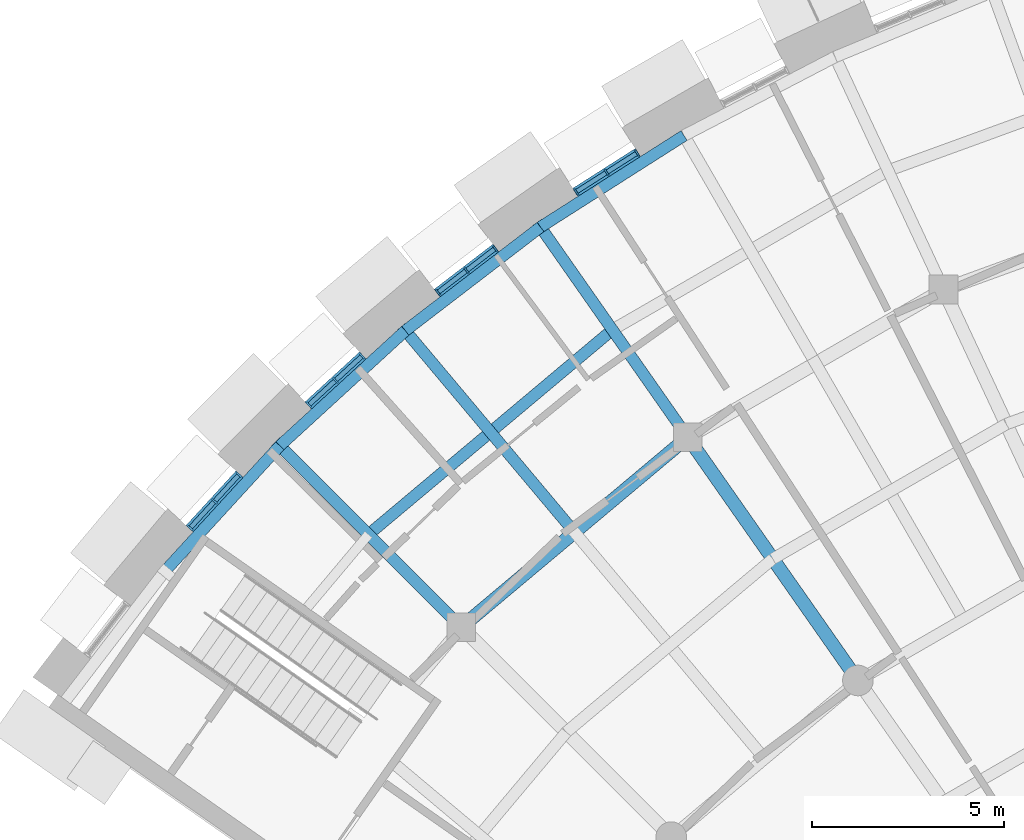
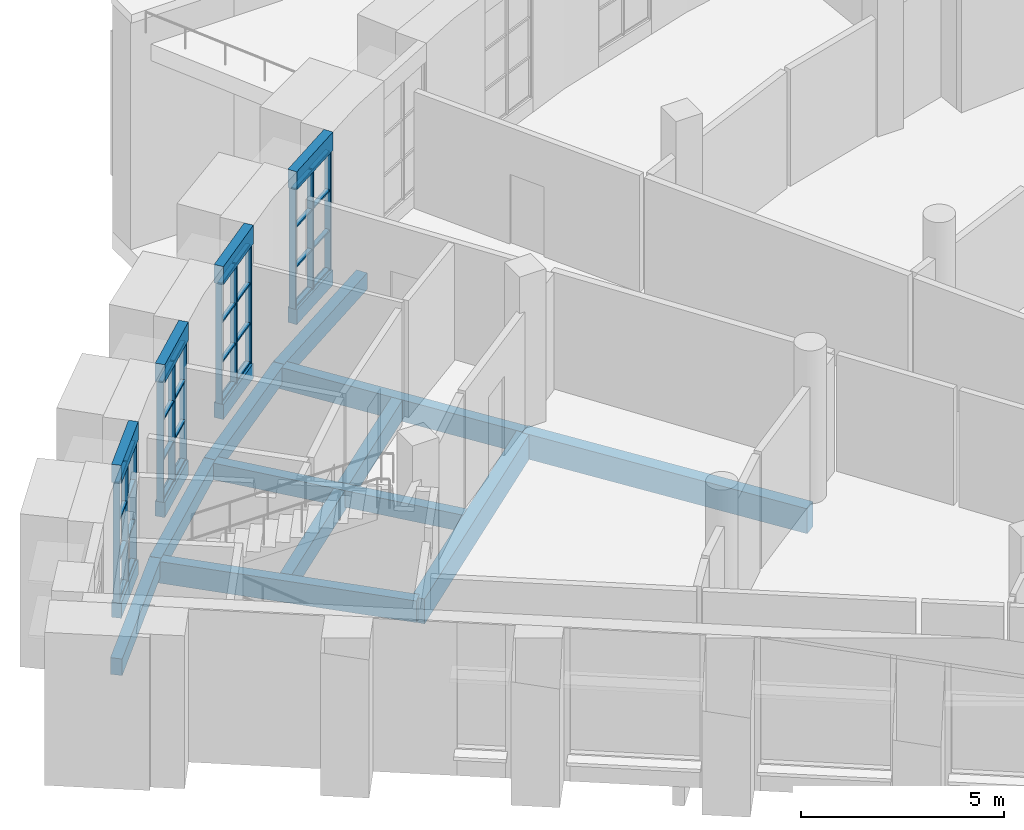
# One storey, part 24 of 85: 44 members, 18 beams, 4 elements without a shape of their own.
"""IFC4 building model written with IfcOpenShell, lengths in metres."""

from ifc_helpers import new_model, si_unit, direction, frame, origin, origin_2d, place, context, subcontext, project, spatial, rectangle, extrude, material, layer, layer_set, material_profile, profile_set, type_object, element, aggregate, save


model = new_model("IFC4")

# Units and contexts
model_context = context("Model", 3, precision=1e-05, world=origin(), true_north=direction((0.0, 1.0)))
body_context = subcontext(model_context, "Body", "Model", "MODEL_VIEW")
ifc_project = project(units=[si_unit("LENGTHUNIT", "METRE"), si_unit("AREAUNIT", "SQUARE_METRE"), si_unit("VOLUMEUNIT", "CUBIC_METRE"), si_unit("PLANEANGLEUNIT", "RADIAN"), si_unit("MASSUNIT", "GRAM", prefix="KILO")], contexts=[model_context])

# Site, building, storey
site_placement = place(None, origin())
site = spatial("IfcSite", under=ifc_project, at=site_placement, CompositionType="ELEMENT")
building_placement = place(site_placement, origin())
building = spatial("IfcBuilding", under=site, at=building_placement, Name="Volute Hill Aquarium", CompositionType="ELEMENT")
storey_placement = place(building_placement, origin())
storey = spatial("IfcBuildingStorey", under=building, at=storey_placement, Name="L01", CompositionType="ELEMENT", Elevation=0.0)

# Beams
ifc_material_1 = material(Name="Concrete C35/45", Category="concrete")
ifc_material_profile_1 = material_profile(ifc_material_1, rectangle(XDim=0.300048828125, YDim=0.64990234375, at=origin_2d()), Name="RC beam 300x650")
ifc_profile_set_1 = profile_set([ifc_material_profile_1], Name="Concrete C35/45")
beam_type_1 = type_object("IfcBeamType", Name="Beam 300x650 C35/45", PredefinedType="BEAM", material=ifc_profile_set_1)
beam_1_placement = place(storey_placement, frame((-25.380859375, 36.24755859375, -0.64501953125), z_axis=(-0.573579548978, 0.819149864796, 0.0), x_axis=(-0.819149864796, -0.573579548978, 0.0)))
element("IfcBeam", 1, at=beam_1_placement, inside=storey, type_object=beam_type_1, Name="bm/S6/L01/rad3.12", PredefinedType="BEAM", context=body_context, shape_type="SweptSolid", body=[
    extrude(rectangle(XDim=0.300048828125, YDim=0.64990234375, at=origin_2d()), origin(), (0.0, 0.0, 1.0), 6.849853515625),
])
beam_2_placement = place(storey_placement, frame((-31.28955078125, 31.28955078125, -0.64501953125), z_axis=(-0.707106781187, 0.707106781187, 0.0), x_axis=(-0.707106781187, -0.707106781187, 0.0)))
element("IfcBeam", 2, at=beam_2_placement, inside=storey, type_object=beam_type_1, Name="bm/S6/L01/rad4.16", PredefinedType="BEAM", context=body_context, shape_type="SweptSolid", body=[
    extrude(rectangle(XDim=0.300048828125, YDim=0.64990234375, at=origin_2d()), origin(), (0.0, 0.0, 1.0), 6.85009765625),
])
ifc_material_2 = material(Name="Concrete C35/45", Category="concrete")
ifc_material_profile_2 = material_profile(ifc_material_2, rectangle(XDim=0.35009765625, YDim=0.75, at=origin_2d()), Name="RC beam 350x750")
ifc_profile_set_2 = profile_set([ifc_material_profile_2], Name="Concrete C35/45")
beam_type_2 = type_object("IfcBeamType", Name="Beam 350x750 C35/45", PredefinedType="BEAM", material=ifc_profile_set_2)
beam_3_placement = place(storey_placement, frame((-20.935546875, 29.89892578125, -0.695068359375), z_axis=(-0.573572275972, 0.819154957402, 0.0), x_axis=(-0.819154957402, -0.573572275972, 0.0)))
element("IfcBeam", 3, at=beam_3_placement, inside=storey, type_object=beam_type_2, Name="bm/S6/L01/rad3.11", PredefinedType="BEAM", context=body_context, shape_type="SweptSolid", body=[
    extrude(rectangle(XDim=0.35009765625, YDim=0.75, at=origin_2d()), origin(), (0.0, 0.0, 1.0), 7.750244140625),
])
beam_4_placement = place(storey_placement, frame((-25.380859375, 36.24755859375, -0.695068359375), z_axis=(-0.766042717383, -0.642789666334, 0.0), x_axis=(0.642789666334, -0.766042717383, 0.0)))
element("IfcBeam", 4, at=beam_4_placement, inside=storey, type_object=beam_type_2, Name="bm/S6/L01/ring3.30", PredefinedType="BEAM", context=body_context, shape_type="SweptSolid", body=[
    extrude(rectangle(XDim=0.35009765625, YDim=0.75, at=origin_2d()), origin(), (0.0, 0.0, 1.0), 7.71337890625),
])

# Curtain wall, members
ifc_material_3 = material(Name="Aluminium", Category="aluminium")
ifc_layer = layer(ifc_material_3, 0.25)
ifc_layer_set = layer_set([ifc_layer], Name="Curtain wall niche S6 module 967")
curtain_wall_type = type_object("IfcCurtainWallType", Name="Curtain wall niche S6 module 967", PredefinedType="NOTDEFINED", material=ifc_layer_set)
curtain_wall_1_placement = place(storey_placement, origin())
curtain_wall_1 = element("IfcCurtainWall", 5, at=curtain_wall_1_placement, inside=storey, type_object=curtain_wall_type, Name="Curtain wall CW S6 L01 6", PredefinedType="NOTDEFINED")
ifc_material_4 = material(Name="Aluminium", Category="aluminium")
ifc_material_profile_3 = material_profile(ifc_material_4, rectangle(XDim=0.169921875, YDim=0.050048828125, at=origin_2d()), Name="Curtain wall mullion S6 50x170")
ifc_profile_set_3 = profile_set([ifc_material_profile_3], Name="Aluminium")
member_type_1 = type_object("IfcMemberType", Name="Curtain wall mullion S6 50x170", PredefinedType="MULLION", material=ifc_profile_set_3)
member_1_placement = place(storey_placement, frame((-26.702392578125, 43.66748046875, 0.449951171875), z_axis=(0.0, 0.0, 1.0), x_axis=(0.537294689973, -0.843394579142, 0.0)))
member_1 = element("IfcMember", 6, at=member_1_placement, type_object=member_type_1, Name="CW mullion 1", PredefinedType="MULLION", context=body_context, shape_type="SweptSolid", body=[
    extrude(rectangle(XDim=0.169921875, YDim=0.050048828125, at=origin_2d()), origin(), (0.0, 0.0, 1.0), 3.60009765625),
])
member_2_placement = place(storey_placement, frame((-27.496826171875, 43.161376953125, 0.449951171875), z_axis=(0.0, 0.0, 1.0), x_axis=(0.537294689973, -0.843394579142, 0.0)))
member_2 = element("IfcMember", 7, at=member_2_placement, type_object=member_type_1, Name="CW mullion 2", PredefinedType="MULLION", context=body_context, shape_type="SweptSolid", body=[
    extrude(rectangle(XDim=0.169921875, YDim=0.050048828125, at=origin_2d()), origin(), (0.0, 0.0, 1.0), 3.60009765625),
])
member_3_placement = place(storey_placement, frame((-28.291259765625, 42.6552734375, 0.449951171875), z_axis=(0.0, 0.0, 1.0), x_axis=(0.537294689973, -0.843394579142, 0.0)))
member_3 = element("IfcMember", 8, at=member_3_placement, type_object=member_type_1, Name="CW mullion 3", PredefinedType="MULLION", context=body_context, shape_type="SweptSolid", body=[
    extrude(rectangle(XDim=0.169921875, YDim=0.050048828125, at=origin_2d()), origin(), (0.0, 0.0, 1.0), 3.60009765625),
])

curtain_wall_2_placement = place(storey_placement, origin())
curtain_wall_2 = element("IfcCurtainWall", 9, at=curtain_wall_2_placement, inside=storey, type_object=curtain_wall_type, Name="Curtain wall CW S6 L01 7", PredefinedType="NOTDEFINED")
member_4_placement = place(storey_placement, frame((-30.40673828125, 41.174072265625, 0.449951171875), z_axis=(0.0, 0.0, 1.0), x_axis=(0.608768681127, -0.793347775493, 0.0)))
member_4 = element("IfcMember", 10, at=member_4_placement, type_object=member_type_1, Name="CW mullion 1", PredefinedType="MULLION", context=body_context, shape_type="SweptSolid", body=[
    extrude(rectangle(XDim=0.169921875, YDim=0.050048828125, at=origin_2d()), origin(), (0.0, 0.0, 1.0), 3.60009765625),
])
member_5_placement = place(storey_placement, frame((-31.154052734375, 40.6005859375, 0.449951171875), z_axis=(0.0, 0.0, 1.0), x_axis=(0.608768681127, -0.793347775493, 0.0)))
member_5 = element("IfcMember", 11, at=member_5_placement, type_object=member_type_1, Name="CW mullion 2", PredefinedType="MULLION", context=body_context, shape_type="SweptSolid", body=[
    extrude(rectangle(XDim=0.169921875, YDim=0.050048828125, at=origin_2d()), origin(), (0.0, 0.0, 1.0), 3.60009765625),
])
member_6_placement = place(storey_placement, frame((-31.9013671875, 40.027099609375, 0.449951171875), z_axis=(0.0, 0.0, 1.0), x_axis=(0.608768681127, -0.793347775493, 0.0)))
member_6 = element("IfcMember", 12, at=member_6_placement, type_object=member_type_1, Name="CW mullion 3", PredefinedType="MULLION", context=body_context, shape_type="SweptSolid", body=[
    extrude(rectangle(XDim=0.169921875, YDim=0.050048828125, at=origin_2d()), origin(), (0.0, 0.0, 1.0), 3.60009765625),
])

curtain_wall_3_placement = place(storey_placement, origin())
curtain_wall_3 = element("IfcCurtainWall", 13, at=curtain_wall_3_placement, inside=storey, type_object=curtain_wall_type, Name="Curtain wall CW S6 L01 8", PredefinedType="NOTDEFINED")
member_7_placement = place(storey_placement, frame((-33.879638671875, 38.3671875, 0.449951171875), z_axis=(0.0, 0.0, 1.0), x_axis=(0.675582007635, -0.737284850624, 0.0)))
member_7 = element("IfcMember", 14, at=member_7_placement, type_object=member_type_1, Name="CW mullion 1", PredefinedType="MULLION", context=body_context, shape_type="SweptSolid", body=[
    extrude(rectangle(XDim=0.169921875, YDim=0.050048828125, at=origin_2d()), origin(), (0.0, 0.0, 1.0), 3.60009765625),
])
member_8_placement = place(storey_placement, frame((-34.573974609375, 37.73095703125, 0.449951171875), z_axis=(0.0, 0.0, 1.0), x_axis=(0.675582007635, -0.737284850624, 0.0)))
member_8 = element("IfcMember", 15, at=member_8_placement, type_object=member_type_1, Name="CW mullion 2", PredefinedType="MULLION", context=body_context, shape_type="SweptSolid", body=[
    extrude(rectangle(XDim=0.169921875, YDim=0.050048828125, at=origin_2d()), origin(), (0.0, 0.0, 1.0), 3.60009765625),
])
member_9_placement = place(storey_placement, frame((-35.268310546875, 37.094482421875, 0.449951171875), z_axis=(0.0, 0.0, 1.0), x_axis=(0.675582007635, -0.737284850624, 0.0)))
member_9 = element("IfcMember", 16, at=member_9_placement, type_object=member_type_1, Name="CW mullion 3", PredefinedType="MULLION", context=body_context, shape_type="SweptSolid", body=[
    extrude(rectangle(XDim=0.169921875, YDim=0.050048828125, at=origin_2d()), origin(), (0.0, 0.0, 1.0), 3.60009765625),
])

curtain_wall_4_placement = place(storey_placement, origin())
curtain_wall_4 = element("IfcCurtainWall", 17, at=curtain_wall_4_placement, inside=storey, type_object=curtain_wall_type, Name="Curtain wall CW S6 L01 9", PredefinedType="NOTDEFINED")
member_10_placement = place(storey_placement, frame((-37.094482421875, 35.268310546875, 0.449951171875), z_axis=(0.0, 0.0, 1.0), x_axis=(0.737284850624, -0.675582007635, 0.0)))
member_10 = element("IfcMember", 18, at=member_10_placement, type_object=member_type_1, Name="CW mullion 1", PredefinedType="MULLION", context=body_context, shape_type="SweptSolid", body=[
    extrude(rectangle(XDim=0.169921875, YDim=0.050048828125, at=origin_2d()), origin(), (0.0, 0.0, 1.0), 3.60009765625),
])
member_11_placement = place(storey_placement, frame((-37.73095703125, 34.573974609375, 0.449951171875), z_axis=(0.0, 0.0, 1.0), x_axis=(0.737284850624, -0.675582007635, 0.0)))
member_11 = element("IfcMember", 19, at=member_11_placement, type_object=member_type_1, Name="CW mullion 2", PredefinedType="MULLION", context=body_context, shape_type="SweptSolid", body=[
    extrude(rectangle(XDim=0.169921875, YDim=0.050048828125, at=origin_2d()), origin(), (0.0, 0.0, 1.0), 3.60009765625),
])
member_12_placement = place(storey_placement, frame((-38.3671875, 33.879638671875, 0.449951171875), z_axis=(0.0, 0.0, 1.0), x_axis=(0.737284850624, -0.675582007635, 0.0)))
member_12 = element("IfcMember", 20, at=member_12_placement, type_object=member_type_1, Name="CW mullion 3", PredefinedType="MULLION", context=body_context, shape_type="SweptSolid", body=[
    extrude(rectangle(XDim=0.169921875, YDim=0.050048828125, at=origin_2d()), origin(), (0.0, 0.0, 1.0), 3.60009765625),
])

# Member
ifc_material_5 = material(Name="Aluminium", Category="aluminium")
ifc_material_profile_4 = material_profile(ifc_material_5, rectangle(XDim=0.1201171875, YDim=0.050048828125, at=origin_2d()), Name="Curtain wall transom S6 50x120")
ifc_profile_set_4 = profile_set([ifc_material_profile_4], Name="Aluminium")
member_type_2 = type_object("IfcMemberType", Name="Curtain wall transom S6 50x120", PredefinedType="USERDEFINED", material=ifc_profile_set_4)
member_13_placement = place(storey_placement, frame((-26.7236328125, 43.654052734375, 0.47509765625), z_axis=(-0.843368307782, -0.537335926055, 0.0), x_axis=(0.537335926055, -0.843368307782, 0.0)))
member_13 = element("IfcMember", 21, at=member_13_placement, type_object=member_type_2, Name="CW transom 1.1", ObjectType="TRANSOM", PredefinedType="USERDEFINED", context=body_context, shape_type="SweptSolid", body=[
    extrude(rectangle(XDim=0.1201171875, YDim=0.050048828125, at=origin_2d()), origin(), (0.0, 0.0, 1.0), 0.891845703125),
])

member_14_placement = place(storey_placement, frame((-26.7236328125, 43.654052734375, 1.64990234375), z_axis=(-0.843368307782, -0.537335926055, 0.0), x_axis=(0.537335926055, -0.843368307782, 0.0)))
member_14 = element("IfcMember", 22, at=member_14_placement, type_object=member_type_2, Name="CW transom 1.2", ObjectType="TRANSOM", PredefinedType="USERDEFINED", context=body_context, shape_type="SweptSolid", body=[
    extrude(rectangle(XDim=0.1201171875, YDim=0.050048828125, at=origin_2d()), origin(), (0.0, 0.0, 1.0), 0.891845703125),
])

member_15_placement = place(storey_placement, frame((-26.7236328125, 43.654052734375, 2.85009765625), z_axis=(-0.843368307782, -0.537335926055, 0.0), x_axis=(0.537335926055, -0.843368307782, 0.0)))
member_15 = element("IfcMember", 23, at=member_15_placement, type_object=member_type_2, Name="CW transom 1.3", ObjectType="TRANSOM", PredefinedType="USERDEFINED", context=body_context, shape_type="SweptSolid", body=[
    extrude(rectangle(XDim=0.1201171875, YDim=0.050048828125, at=origin_2d()), origin(), (0.0, 0.0, 1.0), 0.891845703125),
])

member_16_placement = place(storey_placement, frame((-26.7236328125, 43.654052734375, 4.02490234375), z_axis=(-0.843368307782, -0.537335926055, 0.0), x_axis=(0.537335926055, -0.843368307782, 0.0)))
member_16 = element("IfcMember", 24, at=member_16_placement, type_object=member_type_2, Name="CW transom 1.4", ObjectType="TRANSOM", PredefinedType="USERDEFINED", context=body_context, shape_type="SweptSolid", body=[
    extrude(rectangle(XDim=0.1201171875, YDim=0.050048828125, at=origin_2d()), origin(), (0.0, 0.0, 1.0), 0.891845703125),
])

member_17_placement = place(storey_placement, frame((-27.517822265625, 43.14794921875, 0.47509765625), z_axis=(-0.843368307782, -0.537335926055, 0.0), x_axis=(0.537335926055, -0.843368307782, 0.0)))
member_17 = element("IfcMember", 25, at=member_17_placement, type_object=member_type_2, Name="CW transom 2.1", ObjectType="TRANSOM", PredefinedType="USERDEFINED", context=body_context, shape_type="SweptSolid", body=[
    extrude(rectangle(XDim=0.1201171875, YDim=0.050048828125, at=origin_2d()), origin(), (0.0, 0.0, 1.0), 0.891845703125),
])

member_18_placement = place(storey_placement, frame((-27.517822265625, 43.14794921875, 1.64990234375), z_axis=(-0.843368307782, -0.537335926055, 0.0), x_axis=(0.537335926055, -0.843368307782, 0.0)))
member_18 = element("IfcMember", 26, at=member_18_placement, type_object=member_type_2, Name="CW transom 2.2", ObjectType="TRANSOM", PredefinedType="USERDEFINED", context=body_context, shape_type="SweptSolid", body=[
    extrude(rectangle(XDim=0.1201171875, YDim=0.050048828125, at=origin_2d()), origin(), (0.0, 0.0, 1.0), 0.891845703125),
])

member_19_placement = place(storey_placement, frame((-27.517822265625, 43.14794921875, 2.85009765625), z_axis=(-0.843368307782, -0.537335926055, 0.0), x_axis=(0.537335926055, -0.843368307782, 0.0)))
member_19 = element("IfcMember", 27, at=member_19_placement, type_object=member_type_2, Name="CW transom 2.3", ObjectType="TRANSOM", PredefinedType="USERDEFINED", context=body_context, shape_type="SweptSolid", body=[
    extrude(rectangle(XDim=0.1201171875, YDim=0.050048828125, at=origin_2d()), origin(), (0.0, 0.0, 1.0), 0.891845703125),
])

member_20_placement = place(storey_placement, frame((-27.517822265625, 43.14794921875, 4.02490234375), z_axis=(-0.843368307782, -0.537335926055, 0.0), x_axis=(0.537335926055, -0.843368307782, 0.0)))
member_20 = element("IfcMember", 28, at=member_20_placement, type_object=member_type_2, Name="CW transom 2.4", ObjectType="TRANSOM", PredefinedType="USERDEFINED", context=body_context, shape_type="SweptSolid", body=[
    extrude(rectangle(XDim=0.1201171875, YDim=0.050048828125, at=origin_2d()), origin(), (0.0, 0.0, 1.0), 0.891845703125),
])

aggregate(curtain_wall_1, [member_1, member_2, member_3, member_13, member_14, member_15, member_16, member_17, member_18, member_19, member_20])

member_21_placement = place(storey_placement, frame((-30.426513671875, 41.15869140625, 0.47509765625), z_axis=(-0.793416906556, -0.608678578883, 0.0), x_axis=(0.608678578883, -0.793416906556, 0.0)))
member_21 = element("IfcMember", 29, at=member_21_placement, type_object=member_type_2, Name="CW transom 1.1", ObjectType="TRANSOM", PredefinedType="USERDEFINED", context=body_context, shape_type="SweptSolid", body=[
    extrude(rectangle(XDim=0.1201171875, YDim=0.050048828125, at=origin_2d()), origin(), (0.0, 0.0, 1.0), 0.89208984375),
])

member_22_placement = place(storey_placement, frame((-30.426513671875, 41.15869140625, 1.64990234375), z_axis=(-0.793416906556, -0.608678578883, 0.0), x_axis=(0.608678578883, -0.793416906556, 0.0)))
member_22 = element("IfcMember", 30, at=member_22_placement, type_object=member_type_2, Name="CW transom 1.2", ObjectType="TRANSOM", PredefinedType="USERDEFINED", context=body_context, shape_type="SweptSolid", body=[
    extrude(rectangle(XDim=0.1201171875, YDim=0.050048828125, at=origin_2d()), origin(), (0.0, 0.0, 1.0), 0.89208984375),
])

member_23_placement = place(storey_placement, frame((-30.426513671875, 41.15869140625, 2.85009765625), z_axis=(-0.793416906556, -0.608678578883, 0.0), x_axis=(0.608678578883, -0.793416906556, 0.0)))
member_23 = element("IfcMember", 31, at=member_23_placement, type_object=member_type_2, Name="CW transom 1.3", ObjectType="TRANSOM", PredefinedType="USERDEFINED", context=body_context, shape_type="SweptSolid", body=[
    extrude(rectangle(XDim=0.1201171875, YDim=0.050048828125, at=origin_2d()), origin(), (0.0, 0.0, 1.0), 0.89208984375),
])

member_24_placement = place(storey_placement, frame((-30.426513671875, 41.15869140625, 4.02490234375), z_axis=(-0.793416906556, -0.608678578883, 0.0), x_axis=(0.608678578883, -0.793416906556, 0.0)))
member_24 = element("IfcMember", 32, at=member_24_placement, type_object=member_type_2, Name="CW transom 1.4", ObjectType="TRANSOM", PredefinedType="USERDEFINED", context=body_context, shape_type="SweptSolid", body=[
    extrude(rectangle(XDim=0.1201171875, YDim=0.050048828125, at=origin_2d()), origin(), (0.0, 0.0, 1.0), 0.89208984375),
])

member_25_placement = place(storey_placement, frame((-31.173828125, 40.58544921875, 0.47509765625), z_axis=(-0.793315475548, -0.608810772125, 0.0), x_axis=(0.608810772125, -0.793315475548, 0.0)))
member_25 = element("IfcMember", 33, at=member_25_placement, type_object=member_type_2, Name="CW transom 2.1", ObjectType="TRANSOM", PredefinedType="USERDEFINED", context=body_context, shape_type="SweptSolid", body=[
    extrude(rectangle(XDim=0.1201171875, YDim=0.050048828125, at=origin_2d()), origin(), (0.0, 0.0, 1.0), 0.891845703125),
])

member_26_placement = place(storey_placement, frame((-31.173828125, 40.58544921875, 1.64990234375), z_axis=(-0.793315475548, -0.608810772125, 0.0), x_axis=(0.608810772125, -0.793315475548, 0.0)))
member_26 = element("IfcMember", 34, at=member_26_placement, type_object=member_type_2, Name="CW transom 2.2", ObjectType="TRANSOM", PredefinedType="USERDEFINED", context=body_context, shape_type="SweptSolid", body=[
    extrude(rectangle(XDim=0.1201171875, YDim=0.050048828125, at=origin_2d()), origin(), (0.0, 0.0, 1.0), 0.891845703125),
])

member_27_placement = place(storey_placement, frame((-31.173828125, 40.58544921875, 2.85009765625), z_axis=(-0.793315475548, -0.608810772125, 0.0), x_axis=(0.608810772125, -0.793315475548, 0.0)))
member_27 = element("IfcMember", 35, at=member_27_placement, type_object=member_type_2, Name="CW transom 2.3", ObjectType="TRANSOM", PredefinedType="USERDEFINED", context=body_context, shape_type="SweptSolid", body=[
    extrude(rectangle(XDim=0.1201171875, YDim=0.050048828125, at=origin_2d()), origin(), (0.0, 0.0, 1.0), 0.891845703125),
])

member_28_placement = place(storey_placement, frame((-31.173828125, 40.58544921875, 4.02490234375), z_axis=(-0.793315475548, -0.608810772125, 0.0), x_axis=(0.608810772125, -0.793315475548, 0.0)))
member_28 = element("IfcMember", 36, at=member_28_placement, type_object=member_type_2, Name="CW transom 2.4", ObjectType="TRANSOM", PredefinedType="USERDEFINED", context=body_context, shape_type="SweptSolid", body=[
    extrude(rectangle(XDim=0.1201171875, YDim=0.050048828125, at=origin_2d()), origin(), (0.0, 0.0, 1.0), 0.891845703125),
])

aggregate(curtain_wall_2, [member_4, member_5, member_6, member_21, member_22, member_23, member_24, member_25, member_26, member_27, member_28])

member_29_placement = place(storey_placement, frame((-33.89794921875, 38.350341796875, 0.47509765625), z_axis=(-0.737358609817, -0.67550150298, 0.0), x_axis=(0.67550150298, -0.737358609817, 0.0)))
member_29 = element("IfcMember", 37, at=member_29_placement, type_object=member_type_2, Name="CW transom 1.1", ObjectType="TRANSOM", PredefinedType="USERDEFINED", context=body_context, shape_type="SweptSolid", body=[
    extrude(rectangle(XDim=0.1201171875, YDim=0.050048828125, at=origin_2d()), origin(), (0.0, 0.0, 1.0), 0.89208984375),
])

member_30_placement = place(storey_placement, frame((-33.89794921875, 38.350341796875, 1.64990234375), z_axis=(-0.737358609817, -0.67550150298, 0.0), x_axis=(0.67550150298, -0.737358609817, 0.0)))
member_30 = element("IfcMember", 38, at=member_30_placement, type_object=member_type_2, Name="CW transom 1.2", ObjectType="TRANSOM", PredefinedType="USERDEFINED", context=body_context, shape_type="SweptSolid", body=[
    extrude(rectangle(XDim=0.1201171875, YDim=0.050048828125, at=origin_2d()), origin(), (0.0, 0.0, 1.0), 0.89208984375),
])

member_31_placement = place(storey_placement, frame((-33.89794921875, 38.350341796875, 2.85009765625), z_axis=(-0.737358609817, -0.67550150298, 0.0), x_axis=(0.67550150298, -0.737358609817, 0.0)))
member_31 = element("IfcMember", 39, at=member_31_placement, type_object=member_type_2, Name="CW transom 1.3", ObjectType="TRANSOM", PredefinedType="USERDEFINED", context=body_context, shape_type="SweptSolid", body=[
    extrude(rectangle(XDim=0.1201171875, YDim=0.050048828125, at=origin_2d()), origin(), (0.0, 0.0, 1.0), 0.89208984375),
])

member_32_placement = place(storey_placement, frame((-33.89794921875, 38.350341796875, 4.02490234375), z_axis=(-0.737358609817, -0.67550150298, 0.0), x_axis=(0.67550150298, -0.737358609817, 0.0)))
member_32 = element("IfcMember", 40, at=member_32_placement, type_object=member_type_2, Name="CW transom 1.4", ObjectType="TRANSOM", PredefinedType="USERDEFINED", context=body_context, shape_type="SweptSolid", body=[
    extrude(rectangle(XDim=0.1201171875, YDim=0.050048828125, at=origin_2d()), origin(), (0.0, 0.0, 1.0), 0.89208984375),
])

member_33_placement = place(storey_placement, frame((-34.592529296875, 37.714111328125, 0.47509765625), z_axis=(-0.737097330145, -0.675786597894, 0.0), x_axis=(0.675786597894, -0.737097330145, 0.0)))
member_33 = element("IfcMember", 41, at=member_33_placement, type_object=member_type_2, Name="CW transom 2.1", ObjectType="TRANSOM", PredefinedType="USERDEFINED", context=body_context, shape_type="SweptSolid", body=[
    extrude(rectangle(XDim=0.1201171875, YDim=0.050048828125, at=origin_2d()), origin(), (0.0, 0.0, 1.0), 0.89208984375),
])

member_34_placement = place(storey_placement, frame((-34.592529296875, 37.714111328125, 1.64990234375), z_axis=(-0.737097330145, -0.675786597894, 0.0), x_axis=(0.675786597894, -0.737097330145, 0.0)))
member_34 = element("IfcMember", 42, at=member_34_placement, type_object=member_type_2, Name="CW transom 2.2", ObjectType="TRANSOM", PredefinedType="USERDEFINED", context=body_context, shape_type="SweptSolid", body=[
    extrude(rectangle(XDim=0.1201171875, YDim=0.050048828125, at=origin_2d()), origin(), (0.0, 0.0, 1.0), 0.89208984375),
])

member_35_placement = place(storey_placement, frame((-34.592529296875, 37.714111328125, 2.85009765625), z_axis=(-0.737097330145, -0.675786597894, 0.0), x_axis=(0.675786597894, -0.737097330145, 0.0)))
member_35 = element("IfcMember", 43, at=member_35_placement, type_object=member_type_2, Name="CW transom 2.3", ObjectType="TRANSOM", PredefinedType="USERDEFINED", context=body_context, shape_type="SweptSolid", body=[
    extrude(rectangle(XDim=0.1201171875, YDim=0.050048828125, at=origin_2d()), origin(), (0.0, 0.0, 1.0), 0.89208984375),
])

member_36_placement = place(storey_placement, frame((-34.592529296875, 37.714111328125, 4.02490234375), z_axis=(-0.737097330145, -0.675786597894, 0.0), x_axis=(0.675786597894, -0.737097330145, 0.0)))
member_36 = element("IfcMember", 44, at=member_36_placement, type_object=member_type_2, Name="CW transom 2.4", ObjectType="TRANSOM", PredefinedType="USERDEFINED", context=body_context, shape_type="SweptSolid", body=[
    extrude(rectangle(XDim=0.1201171875, YDim=0.050048828125, at=origin_2d()), origin(), (0.0, 0.0, 1.0), 0.89208984375),
])

aggregate(curtain_wall_3, [member_7, member_8, member_9, member_29, member_30, member_31, member_32, member_33, member_34, member_35, member_36])

member_37_placement = place(storey_placement, frame((-37.111328125, 35.25, 0.47509765625), z_axis=(-0.675786597894, -0.737097330145, 0.0), x_axis=(0.737097330145, -0.675786597894, 0.0)))
member_37 = element("IfcMember", 45, at=member_37_placement, type_object=member_type_2, Name="CW transom 1.1", ObjectType="TRANSOM", PredefinedType="USERDEFINED", context=body_context, shape_type="SweptSolid", body=[
    extrude(rectangle(XDim=0.1201171875, YDim=0.050048828125, at=origin_2d()), origin(), (0.0, 0.0, 1.0), 0.89208984375),
])

member_38_placement = place(storey_placement, frame((-37.111328125, 35.25, 1.64990234375), z_axis=(-0.675786597894, -0.737097330145, 0.0), x_axis=(0.737097330145, -0.675786597894, 0.0)))
member_38 = element("IfcMember", 46, at=member_38_placement, type_object=member_type_2, Name="CW transom 1.2", ObjectType="TRANSOM", PredefinedType="USERDEFINED", context=body_context, shape_type="SweptSolid", body=[
    extrude(rectangle(XDim=0.1201171875, YDim=0.050048828125, at=origin_2d()), origin(), (0.0, 0.0, 1.0), 0.89208984375),
])

member_39_placement = place(storey_placement, frame((-37.111328125, 35.25, 2.85009765625), z_axis=(-0.675786597894, -0.737097330145, 0.0), x_axis=(0.737097330145, -0.675786597894, 0.0)))
member_39 = element("IfcMember", 47, at=member_39_placement, type_object=member_type_2, Name="CW transom 1.3", ObjectType="TRANSOM", PredefinedType="USERDEFINED", context=body_context, shape_type="SweptSolid", body=[
    extrude(rectangle(XDim=0.1201171875, YDim=0.050048828125, at=origin_2d()), origin(), (0.0, 0.0, 1.0), 0.89208984375),
])

member_40_placement = place(storey_placement, frame((-37.111328125, 35.25, 4.02490234375), z_axis=(-0.675786597894, -0.737097330145, 0.0), x_axis=(0.737097330145, -0.675786597894, 0.0)))
member_40 = element("IfcMember", 48, at=member_40_placement, type_object=member_type_2, Name="CW transom 1.4", ObjectType="TRANSOM", PredefinedType="USERDEFINED", context=body_context, shape_type="SweptSolid", body=[
    extrude(rectangle(XDim=0.1201171875, YDim=0.050048828125, at=origin_2d()), origin(), (0.0, 0.0, 1.0), 0.89208984375),
])

member_41_placement = place(storey_placement, frame((-37.747802734375, 34.5556640625, 0.47509765625), z_axis=(-0.67550150298, -0.737358609817, 0.0), x_axis=(0.737358609817, -0.67550150298, 0.0)))
member_41 = element("IfcMember", 49, at=member_41_placement, type_object=member_type_2, Name="CW transom 2.1", ObjectType="TRANSOM", PredefinedType="USERDEFINED", context=body_context, shape_type="SweptSolid", body=[
    extrude(rectangle(XDim=0.1201171875, YDim=0.050048828125, at=origin_2d()), origin(), (0.0, 0.0, 1.0), 0.89208984375),
])

member_42_placement = place(storey_placement, frame((-37.747802734375, 34.5556640625, 1.64990234375), z_axis=(-0.67550150298, -0.737358609817, 0.0), x_axis=(0.737358609817, -0.67550150298, 0.0)))
member_42 = element("IfcMember", 50, at=member_42_placement, type_object=member_type_2, Name="CW transom 2.2", ObjectType="TRANSOM", PredefinedType="USERDEFINED", context=body_context, shape_type="SweptSolid", body=[
    extrude(rectangle(XDim=0.1201171875, YDim=0.050048828125, at=origin_2d()), origin(), (0.0, 0.0, 1.0), 0.89208984375),
])

member_43_placement = place(storey_placement, frame((-37.747802734375, 34.5556640625, 2.85009765625), z_axis=(-0.67550150298, -0.737358609817, 0.0), x_axis=(0.737358609817, -0.67550150298, 0.0)))
member_43 = element("IfcMember", 51, at=member_43_placement, type_object=member_type_2, Name="CW transom 2.3", ObjectType="TRANSOM", PredefinedType="USERDEFINED", context=body_context, shape_type="SweptSolid", body=[
    extrude(rectangle(XDim=0.1201171875, YDim=0.050048828125, at=origin_2d()), origin(), (0.0, 0.0, 1.0), 0.89208984375),
])

member_44_placement = place(storey_placement, frame((-37.747802734375, 34.5556640625, 4.02490234375), z_axis=(-0.67550150298, -0.737358609817, 0.0), x_axis=(0.737358609817, -0.67550150298, 0.0)))
member_44 = element("IfcMember", 52, at=member_44_placement, type_object=member_type_2, Name="CW transom 2.4", ObjectType="TRANSOM", PredefinedType="USERDEFINED", context=body_context, shape_type="SweptSolid", body=[
    extrude(rectangle(XDim=0.1201171875, YDim=0.050048828125, at=origin_2d()), origin(), (0.0, 0.0, 1.0), 0.89208984375),
])

aggregate(curtain_wall_4, [member_10, member_11, member_12, member_37, member_38, member_39, member_40, member_41, member_42, member_43, member_44])

# Beams
ifc_material_6 = material(Name="Concrete C35/45", Category="concrete")
ifc_material_profile_5 = material_profile(ifc_material_6, rectangle(XDim=0.300048828125, YDim=0.5, at=origin_2d()), Name="RC edge beam 300x500")
ifc_profile_set_5 = profile_set([ifc_material_profile_5], Name="Concrete C35/45")
beam_type_3 = type_object("IfcBeamType", Name="Edge beam 300x500 C35/45", PredefinedType="BEAM", material=ifc_profile_set_5)
for number, where, z_axis, x_axis, name in (
    (53, (-25.474853515625, 44.123779296875, -0.570068359375), (-0.843396768651, -0.537291253073, 0.0), (0.537291253073, -0.843396768651, 0.0), "bm/S6/L01/edgeO.47"),
    (54, (-29.2236328125, 41.735595703125, -0.570068359375), (-0.793360529579, -0.608752059632, 0.0), (0.608752059632, -0.793360529579, 0.0), "bm/S6/L01/edgeO.48"),
    (55, (-32.75, 39.02978515625, -0.570068359375), (-0.737302325193, -0.675562936568, 0.0), (0.675562936568, -0.737302325193, 0.0), "bm/S6/L01/edgeO.49"),
    (56, (-36.027099609375, 36.027099609375, -0.570068359375), (-0.675562936568, -0.737302325193, 0.0), (0.737302325193, -0.675562936568, 0.0), "bm/S6/L01/edgeO.50"),
):
    element("IfcBeam", number, at=place(storey_placement, frame(where, z_axis=z_axis, x_axis=x_axis)), inside=storey, type_object=beam_type_3, Name=name, PredefinedType="BEAM", context=body_context, shape_type="SweptSolid", body=[
        extrude(rectangle(XDim=0.300048828125, YDim=0.5, at=origin_2d()), origin(), (0.0, 0.0, 1.0), 4.44482421875),
    ])
ifc_material_7 = material(Name="Concrete C35/45", Category="concrete")
ifc_material_profile_6 = material_profile(ifc_material_7, rectangle(XDim=0.300048828125, YDim=0.5, at=origin_2d()), Name="RC joist 300x500")
ifc_profile_set_6 = profile_set([ifc_material_profile_6], Name="Concrete C35/45")
beam_type_4 = type_object("IfcBeamType", Name="Joist 300x500 C35/45", PredefinedType="BEAM", material=ifc_profile_set_6)
beam_5_placement = place(storey_placement, frame((-28.443359375, 33.8974609375, -0.570068359375), z_axis=(-0.64277490452, 0.76605510384, 0.0), x_axis=(-0.76605510384, -0.64277490452, 0.0)))
element("IfcBeam", 57, at=beam_5_placement, inside=storey, type_object=beam_type_4, Name="bm/S6/L01/rjst9", PredefinedType="BEAM", context=body_context, shape_type="SweptSolid", body=[
    extrude(rectangle(XDim=0.300048828125, YDim=0.5, at=origin_2d()), origin(), (0.0, 0.0, 1.0), 6.85009765625),
])
ifc_material_8 = material(Name="Concrete C35/45", Category="concrete")
ifc_material_profile_7 = material_profile(ifc_material_8, rectangle(XDim=0.300048828125, YDim=0.60009765625, at=origin_2d()), Name="RC joist 300x600")
ifc_profile_set_7 = profile_set([ifc_material_profile_7], Name="Concrete C35/45")
beam_type_5 = type_object("IfcBeamType", Name="Joist 300x600 C35/45", PredefinedType="BEAM", material=ifc_profile_set_7)
beam_6_placement = place(storey_placement, frame((-27.34521484375, 39.052978515625, -0.6201171875), z_axis=(-0.76603754112, -0.642795835079, 0.0), x_axis=(0.642795835079, -0.76603754112, 0.0)))
element("IfcBeam", 58, at=beam_6_placement, inside=storey, type_object=beam_type_5, Name="bm/S6/L01/jst19", PredefinedType="BEAM", context=body_context, shape_type="SweptSolid", body=[
    extrude(rectangle(XDim=0.300048828125, YDim=0.60009765625, at=origin_2d()), origin(), (0.0, 0.0, 1.0), 8.310302734375),
])
ifc_material_9 = material(Name="Concrete C35/45", Category="concrete")
ifc_material_profile_8 = material_profile(ifc_material_9, rectangle(XDim=0.25, YDim=0.550048828125, at=origin_2d()), Name="RC beam 250x550")
ifc_profile_set_8 = profile_set([ifc_material_profile_8], Name="Concrete C35/45")
beam_type_6 = type_object("IfcBeamType", Name="Niche head beam RC 250x550 C35/45", PredefinedType="BEAM", material=ifc_profile_set_8)
for number, where, z_axis, x_axis, name in (
    (59, (-26.681396484375, 43.680908203125, 4.324951171875), (-0.843370239062, -0.537332894828, 0.0), (0.537332894828, -0.843370239062, 0.0), "Niche head beam OWB S6 L01 6"),
    (60, (-30.386962890625, 41.189208984375, 4.324951171875), (-0.793346193695, -0.608770742521, 0.0), (0.608770742521, -0.793346193695, 0.0), "Niche head beam OWB S6 L01 7"),
    (61, (-33.861083984375, 38.384033203125, 4.324951171875), (-0.73730085884, -0.675564536927, 0.0), (0.675564536927, -0.73730085884, 0.0), "Niche head beam OWB S6 L01 8"),
    (62, (-37.07763671875, 35.286865234375, 4.324951171875), (-0.675564536927, -0.73730085884, 0.0), (0.73730085884, -0.675564536927, 0.0), "Niche head beam OWB S6 L01 9"),
):
    element("IfcBeam", number, at=place(storey_placement, frame(where, z_axis=z_axis, x_axis=x_axis)), inside=storey, type_object=beam_type_6, Name=name, PredefinedType="BEAM", context=body_context, shape_type="SweptSolid", body=[
        extrude(rectangle(XDim=0.25, YDim=0.550048828125, at=origin_2d()), origin(), (0.0, 0.0, 1.0), 1.933837890625),
    ])
ifc_material_10 = material(Name="Concrete C35/45", Category="concrete")
ifc_material_profile_9 = material_profile(ifc_material_10, rectangle(XDim=0.25, YDim=0.449951171875, at=origin_2d()), Name="RC beam 250x450")
ifc_profile_set_9 = profile_set([ifc_material_profile_9], Name="Concrete C35/45")
beam_type_7 = type_object("IfcBeamType", Name="Niche sill beam RC 250x450 C35/45", PredefinedType="BEAM", material=ifc_profile_set_9)
for number, where, z_axis, x_axis, name in (
    (63, (-26.681396484375, 43.680908203125, 0.22509765625), (-0.843370239062, -0.537332894828, 0.0), (0.537332894828, -0.843370239062, 0.0), "Niche sill beam OWB S6 L01 6"),
    (64, (-30.386962890625, 41.189208984375, 0.22509765625), (-0.793346193695, -0.608770742521, 0.0), (0.608770742521, -0.793346193695, 0.0), "Niche sill beam OWB S6 L01 7"),
    (65, (-33.861083984375, 38.384033203125, 0.22509765625), (-0.73730085884, -0.675564536927, 0.0), (0.675564536927, -0.73730085884, 0.0), "Niche sill beam OWB S6 L01 8"),
    (66, (-37.07763671875, 35.286865234375, 0.22509765625), (-0.675564536927, -0.73730085884, 0.0), (0.73730085884, -0.675564536927, 0.0), "Niche sill beam OWB S6 L01 9"),
):
    element("IfcBeam", number, at=place(storey_placement, frame(where, z_axis=z_axis, x_axis=x_axis)), inside=storey, type_object=beam_type_7, Name=name, PredefinedType="BEAM", context=body_context, shape_type="SweptSolid", body=[
        extrude(rectangle(XDim=0.25, YDim=0.449951171875, at=origin_2d()), origin(), (0.0, 0.0, 1.0), 1.933837890625),
    ])

save(model, "model.ifc")
